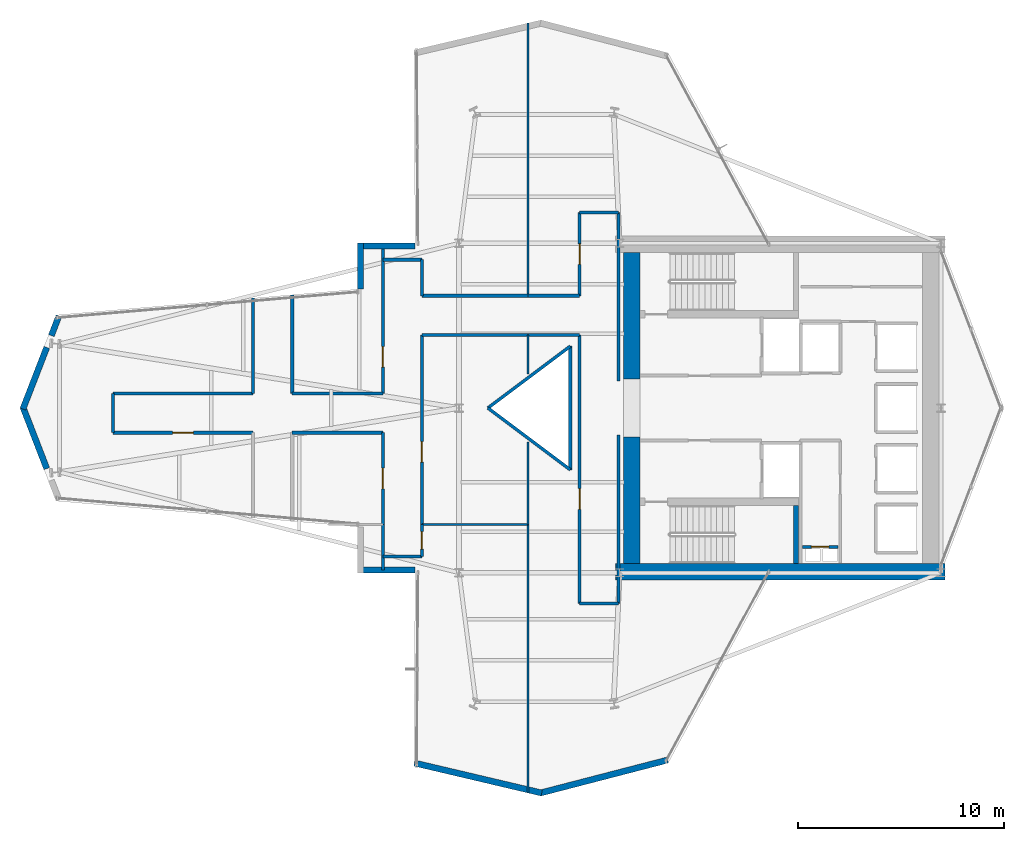
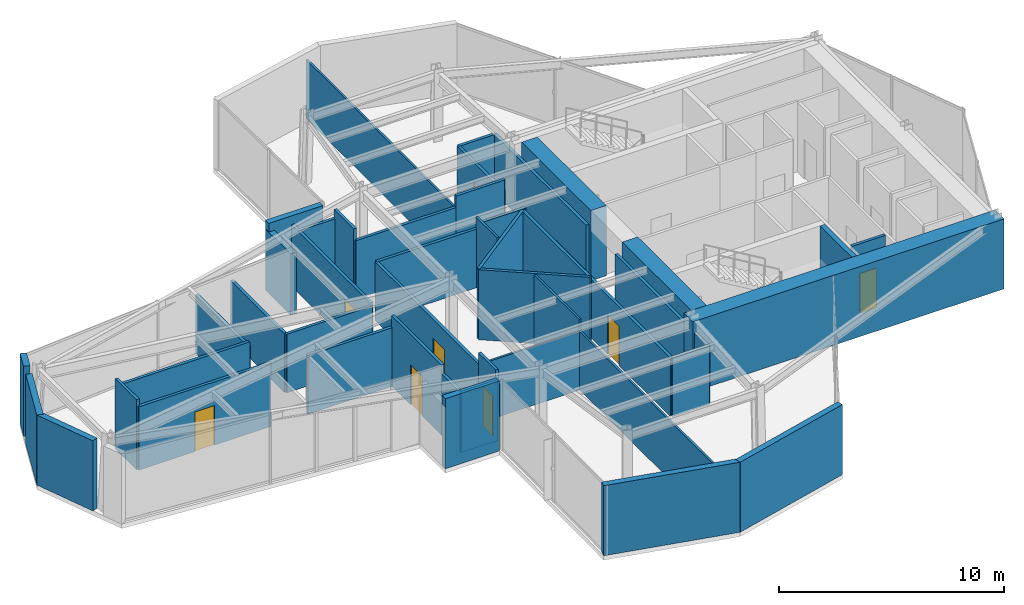
# One storey, part 23 of 26: 46 walls, 8 doors, 8 openings.
"""IFC4 building model written with IfcOpenShell, lengths in metres."""

from ifc_helpers import new_model, si_unit, direction, frame, frame_2d, origin, place, context, subcontext, project, spatial, rectangle, extrude, material, layer, layer_set, type_object, element, fill, save


model = new_model("IFC4")

# Units and contexts
model_context = context("Model", 3, precision=1e-05, world=origin(), true_north=direction((0.0, 1.0)))
body_context = subcontext(model_context, "Body", "Model", "MODEL_VIEW")
ifc_project = project(units=[si_unit("LENGTHUNIT", "METRE"), si_unit("AREAUNIT", "SQUARE_METRE"), si_unit("VOLUMEUNIT", "CUBIC_METRE"), si_unit("PLANEANGLEUNIT", "RADIAN"), si_unit("MASSUNIT", "GRAM", prefix="KILO")], contexts=[model_context])

# Site, building, storey
site_placement = place(None, origin())
site = spatial("IfcSite", under=ifc_project, at=site_placement, CompositionType="ELEMENT")
building_placement = place(site_placement, origin())
building = spatial("IfcBuilding", under=site, at=building_placement, Name="Veymaron Broadcast Tower", CompositionType="ELEMENT")
storey_placement = place(building_placement, frame((0.0, 0.0, 157.35009765625)))
storey = spatial("IfcBuildingStorey", under=building, at=storey_placement, Name="L36", CompositionType="ELEMENT", Elevation=157.35009765625)

# Walls
ifc_material_1 = material(Name="Precast concrete C40/50 with mineral-wool insulation", Category="concrete")
ifc_layer_1 = layer(ifc_material_1, 0.300048828125)
ifc_layer_set_1 = layer_set([ifc_layer_1], Name="Precast concrete C40/50 with mineral-wool insulation")
wall_type_1 = type_object("IfcWallType", Name="WALL-EXT-300", PredefinedType="STANDARD", material=ifc_layer_set_1)
wall_1_placement = place(storey_placement, frame((29.06494140625, 31.860107421875, 0.0), z_axis=(0.0, 0.0, 1.0), x_axis=(-1.0, 0.0, 0.0)))
element("IfcWall", 1, at=wall_1_placement, inside=storey, type_object=wall_type_1, Name="L36 notched corner facade pier 9-1", PredefinedType="STANDARD", context=body_context, shape_type="SweptSolid", body=[
    extrude(rectangle(XDim=2.79443359375, YDim=0.300048828125, at=frame_2d((1.397216796875, 0.0))), origin(), (0.0, 0.0, 1.0), 3.809814453125),
])
wall_2_placement = place(storey_placement, frame((26.410400390625, 32.0, 0.0), z_axis=(0.0, 0.0, 1.0), x_axis=(0.0, -1.0, 0.0)))
element("IfcWall", 2, at=wall_2_placement, inside=storey, type_object=wall_type_1, Name="L36 notched corner facade pier 10-1", PredefinedType="STANDARD", context=body_context, shape_type="SweptSolid", body=[
    extrude(rectangle(XDim=2.229248046875, YDim=0.300048828125, at=frame_2d((1.11474609375, 0.0))), origin(), (0.0, 0.0, 1.0), 3.337890625),
])
wall_3_placement = place(storey_placement, frame((11.7705078125, 28.465576171875, 0.0), z_axis=(0.0, 0.0, 1.0), x_axis=(-0.360678505659, -0.93269020342, 0.0)))
element("IfcWall", 3, at=wall_3_placement, inside=storey, type_object=wall_type_1, Name="L36 notched corner facade pier 12-1", PredefinedType="STANDARD", context=body_context, shape_type="SweptSolid", body=[
    extrude(rectangle(XDim=1.02001953125, YDim=0.300048828125, at=frame_2d((0.510009765625, 0.0))), origin(), (0.0, 0.0, 1.0), 3.809814453125),
])
for number, where, z_axis, x_axis, name in (
    (4, (11.181884765625, 26.944091796875, 0.0), (0.0, 0.0, 1.0), (-0.360787181504, -0.932648170353, 0.0), "L36 notched corner facade pier 12-2"),
    (5, (10.0234375, 24.050537109375, 0.0), (0.0, 0.0, 1.0), (0.360787181504, -0.932648170353, 0.0), "L36 notched corner facade pier 13-1"),
):
    element("IfcWall", number, at=place(storey_placement, frame(where, z_axis=z_axis, x_axis=x_axis)), inside=storey, type_object=wall_type_1, Name=name, PredefinedType="STANDARD", context=body_context, shape_type="SweptSolid", body=[
        extrude(rectangle(XDim=3.2109375, YDim=0.300048828125, at=frame_2d((1.60546875, 0.0))), origin(), (0.0, 0.0, 1.0), 3.809814453125),
    ])
wall_4_placement = place(storey_placement, frame((26.2705078125, 16.139892578125, 0.0), z_axis=(0.0, 0.0, 1.0), x_axis=(1.0, 0.0, 0.0)))
element("IfcWall", 6, at=wall_4_placement, inside=storey, type_object=wall_type_1, Name="L36 notched corner facade pier 16-1", PredefinedType="STANDARD", context=body_context, shape_type="SweptSolid", body=[
    extrude(rectangle(XDim=2.79443359375, YDim=0.300048828125, at=frame_2d((1.397216796875, 0.0))), origin(), (0.0, 0.0, 1.0), 3.809814453125),
])
wall_5_placement = place(storey_placement, frame((29.033203125, 6.763427734375, 0.0), z_axis=(0.0, 0.0, 1.0), x_axis=(0.973355101444, -0.229302957882, 0.0)))
element("IfcWall", 7, at=wall_5_placement, inside=storey, type_object=wall_type_1, Name="L36 notched corner facade pier 18-1", PredefinedType="STANDARD", context=body_context, shape_type="SweptSolid", body=[
    extrude(rectangle(XDim=6.348876953125, YDim=0.300048828125, at=frame_2d((3.17431640625, 0.0))), origin(), (0.0, 0.0, 1.0), 3.809814453125),
])
wall_6_placement = place(storey_placement, frame((35.145751953125, 5.306640625, 0.0), z_axis=(0.0, 0.0, 1.0), x_axis=(0.96801891639, 0.250877216005, 0.0)))
element("IfcWall", 8, at=wall_6_placement, inside=storey, type_object=wall_type_1, Name="L36 notched corner facade pier 19-1", PredefinedType="STANDARD", context=body_context, shape_type="SweptSolid", body=[
    extrude(rectangle(XDim=6.3837890625, YDim=0.300048828125, at=frame_2d((3.19189453125, 0.0))), origin(), (0.0, 0.0, 1.0), 3.809814453125),
])

# Wall, opening, door
ifc_material_2 = material(Name="Gypsum fireboard and steel stud framing", Category="steel")
ifc_layer_2 = layer(ifc_material_2, 0.14990234375)
ifc_layer_set_2 = layer_set([ifc_layer_2], Name="Gypsum fireboard and steel stud framing")
wall_type_2 = type_object("IfcWallType", Name="WALL-FIRE-150", PredefinedType="PARTITIONING", material=ifc_layer_set_2)
wall_7_placement = place(storey_placement, frame((47.8798828125, 17.260009765625, 0.0), z_axis=(0.0, 0.0, 1.0), x_axis=(1.0, 0.0, 0.0)))
wall_7 = element("IfcWall", 9, at=wall_7_placement, inside=storey, type_object=wall_type_2, Name="L36 partition IW-L36-RIS-N", PredefinedType="PARTITIONING", context=body_context, shape_type="SweptSolid", body=[
    extrude(rectangle(XDim=1.72021484375, YDim=0.14990234375, at=frame_2d((0.860107421875, 0.0))), origin(), (0.0, 0.0, 1.0), 3.809814453125),
])
opening_1_placement = place(wall_7_placement, frame((0.419921875, 0.0, 0.0)))
opening_1 = element("IfcOpeningElement", 10, at=opening_1_placement, cuts=wall_7, Name="Opening ID-RS1", PredefinedType="OPENING", context=body_context, shape_type="SweptSolid", body=[
    extrude(rectangle(XDim=0.85009765625, YDim=2.14990234375, at=frame_2d((0.425048828125, 1.074951171875))), frame((0.0, 0.0849609375, 0.0), z_axis=(0.0, -1.0, 0.0), x_axis=(1.0, 0.0, 0.0)), (0.0, 0.0, 1.0), 0.169921875),
])
ifc_material_3 = material(Name="Fire-rated powder-coated steel riser leaf", Category="steel")
door_type_1 = type_object("IfcDoorType", Name="DOOR-RIS-850", OperationType="NOTDEFINED", PredefinedType="TRAPDOOR", material=ifc_material_3)
door_1_placement = place(opening_1_placement, origin())
door_1 = element("IfcDoor", 11, at=door_1_placement, inside=storey, type_object=door_type_1, Name="L36 door DR-L36-RIS", OperationType="SINGLE_SWING_LEFT", OverallHeight=2.14990234375, OverallWidth=0.85009765625, PredefinedType="TRAPDOOR", context=body_context, shape_type="SweptSolid", body=[
    extrude(rectangle(XDim=0.85009765625, YDim=2.14990234375, at=frame_2d((0.425048828125, 1.074951171875))), frame((0.0, 0.02490234375, 0.0), z_axis=(0.0, -1.0, 0.0), x_axis=(1.0, 0.0, 0.0)), (0.0, 0.0, 1.0), 0.050048828125),
])
fill(opening_1, door_1)

wall_8_placement = place(storey_placement, frame((29.39990234375, 16.800048828125, 0.0), z_axis=(0.0, 0.0, 1.0), x_axis=(0.0, 1.0, 0.0)))
wall_8 = element("IfcWall", 12, at=wall_8_placement, inside=storey, type_object=wall_type_2, Name="L36 partition IW-L36-P03", PredefinedType="PARTITIONING", context=body_context, shape_type="SweptSolid", body=[
    extrude(rectangle(XDim=1.551025390625, YDim=0.14990234375, at=frame_2d((0.775390625, 0.0))), origin(), (0.0, 0.0, 1.0), 3.809814453125),
])
opening_2_placement = place(wall_8_placement, frame((0.3505859375, 0.0, 0.0)))
opening_2 = element("IfcOpeningElement", 13, at=opening_2_placement, cuts=wall_8, Name="Opening ID-WC1", PredefinedType="OPENING", context=body_context, shape_type="SweptSolid", body=[
    extrude(rectangle(XDim=0.85009765625, YDim=2.14990234375, at=frame_2d((0.425048828125, 1.074951171875))), frame((0.0, 0.0849609375, 0.0), z_axis=(0.0, -1.0, 0.0), x_axis=(1.0, 0.0, 0.0)), (0.0, 0.0, 1.0), 0.169921875),
])
ifc_material_4 = material(Name="Moisture-resistant high-pressure laminate timber", Category="wood")
door_type_2 = type_object("IfcDoorType", Name="DOOR-INT-850", OperationType="NOTDEFINED", PredefinedType="DOOR", material=ifc_material_4)
door_2_placement = place(opening_2_placement, frame((0.85009765625, 0.0, 0.0), z_axis=(0.0, 0.0, 1.0), x_axis=(-1.0, 0.0, 0.0)))
door_2 = element("IfcDoor", 14, at=door_2_placement, inside=storey, type_object=door_type_2, Name="L36 door DR-L36-P03", OperationType="SINGLE_SWING_RIGHT", OverallHeight=2.14990234375, OverallWidth=0.85009765625, PredefinedType="DOOR", context=body_context, shape_type="SweptSolid", body=[
    extrude(rectangle(XDim=0.85009765625, YDim=2.14990234375, at=frame_2d((0.425048828125, 1.074951171875))), frame((0.0, 0.02490234375, 0.0), z_axis=(0.0, -1.0, 0.0), x_axis=(1.0, 0.0, 0.0)), (0.0, 0.0, 1.0), 0.050048828125),
])
fill(opening_2, door_2)

wall_9_placement = place(storey_placement, frame((37.050048828125, 14.5, 0.0), z_axis=(0.0, 0.0, 1.0), x_axis=(0.0, 1.0, 0.0)))
wall_9 = element("IfcWall", 15, at=wall_9_placement, inside=storey, type_object=wall_type_2, Name="L36 partition IW-L36-P04", PredefinedType="PARTITIONING", context=body_context, shape_type="SweptSolid", body=[
    extrude(rectangle(XDim=13.050048828125, YDim=0.14990234375, at=frame_2d((6.52490234375, 0.0))), origin(), (0.0, 0.0, 1.0), 3.18994140625),
])
opening_3_placement = place(wall_9_placement, frame((4.5849609375, 0.0, 0.0)))
opening_3 = element("IfcOpeningElement", 16, at=opening_3_placement, cuts=wall_9, Name="Opening ID-RM3", PredefinedType="OPENING", context=body_context, shape_type="SweptSolid", body=[
    extrude(rectangle(XDim=1.0, YDim=2.14990234375, at=frame_2d((0.5, 1.074951171875))), frame((0.0, 0.0849609375, 0.0), z_axis=(0.0, -1.0, 0.0), x_axis=(1.0, 0.0, 0.0)), (0.0, 0.0, 1.0), 0.169921875),
])
ifc_material_5 = material(Name="Acoustic solid-core European oak veneer timber", Category="wood")
door_type_3 = type_object("IfcDoorType", Name="DOOR-INT-1000", OperationType="NOTDEFINED", PredefinedType="DOOR", material=ifc_material_5)
door_3_placement = place(opening_3_placement, frame((1.0, 0.0, 0.0), z_axis=(0.0, 0.0, 1.0), x_axis=(-1.0, 0.0, 0.0)))
door_3 = element("IfcDoor", 17, at=door_3_placement, inside=storey, type_object=door_type_3, Name="L36 door DR-L36-P04", OperationType="SINGLE_SWING_LEFT", OverallHeight=2.14990234375, OverallWidth=1.0, PredefinedType="DOOR", context=body_context, shape_type="SweptSolid", body=[
    extrude(rectangle(XDim=1.0, YDim=2.14990234375, at=frame_2d((0.5, 1.074951171875))), frame((0.0, 0.02490234375, 0.0), z_axis=(0.0, -1.0, 0.0), x_axis=(1.0, 0.0, 0.0)), (0.0, 0.0, 1.0), 0.050048828125),
])
fill(opening_3, door_3)

wall_10_placement = place(storey_placement, frame((27.5, 18.35107421875, 0.0), z_axis=(0.0, 0.0, 1.0), x_axis=(0.0, 1.0, 0.0)))
wall_10 = element("IfcWall", 18, at=wall_10_placement, inside=storey, type_object=wall_type_2, Name="L36 partition IW-L36-P08", PredefinedType="PARTITIONING", context=body_context, shape_type="SweptSolid", body=[
    extrude(rectangle(XDim=4.448974609375, YDim=0.14990234375, at=frame_2d((2.224609375, 0.0))), origin(), (0.0, 0.0, 1.0), 3.809814453125),
])
opening_4_placement = place(wall_10_placement, frame((1.724609375, 0.0, 0.0)))
opening_4 = element("IfcOpeningElement", 19, at=opening_4_placement, cuts=wall_10, Name="Opening ID-RM3", PredefinedType="OPENING", context=body_context, shape_type="SweptSolid", body=[
    extrude(rectangle(XDim=1.0, YDim=2.14990234375, at=frame_2d((0.5, 1.074951171875))), frame((0.0, 0.0849609375, 0.0), z_axis=(0.0, -1.0, 0.0), x_axis=(1.0, 0.0, 0.0)), (0.0, 0.0, 1.0), 0.169921875),
])
door_4_placement = place(opening_4_placement, origin())
door_4 = element("IfcDoor", 20, at=door_4_placement, inside=storey, type_object=door_type_3, Name="L36 door DR-L36-P08", OperationType="SINGLE_SWING_LEFT", OverallHeight=2.14990234375, OverallWidth=1.0, PredefinedType="DOOR", context=body_context, shape_type="SweptSolid", body=[
    extrude(rectangle(XDim=1.0, YDim=2.14990234375, at=frame_2d((0.5, 1.074951171875))), frame((0.0, 0.02490234375, 0.0), z_axis=(0.0, -1.0, 0.0), x_axis=(1.0, 0.0, 0.0)), (0.0, 0.0, 1.0), 0.050048828125),
])
fill(opening_4, door_4)

wall_11_placement = place(storey_placement, frame((29.39990234375, 18.35107421875, 0.0), z_axis=(0.0, 0.0, 1.0), x_axis=(0.0, 1.0, 0.0)))
wall_11 = element("IfcWall", 21, at=wall_11_placement, inside=storey, type_object=wall_type_2, Name="L36 partition IW-L36-P11", PredefinedType="PARTITIONING", context=body_context, shape_type="SweptSolid", body=[
    extrude(rectangle(XDim=9.198974609375, YDim=0.14990234375, at=frame_2d((4.599609375, 0.0))), origin(), (0.0, 0.0, 1.0), 3.18994140625),
])
opening_5_placement = place(wall_11_placement, frame((3.01953125, 0.0, 0.0)))
opening_5 = element("IfcOpeningElement", 22, at=opening_5_placement, cuts=wall_11, Name="Opening ID-RM3", PredefinedType="OPENING", context=body_context, shape_type="SweptSolid", body=[
    extrude(rectangle(XDim=1.0, YDim=2.14990234375, at=frame_2d((0.5, 1.074951171875))), frame((0.0, 0.0849609375, 0.0), z_axis=(0.0, -1.0, 0.0), x_axis=(1.0, 0.0, 0.0)), (0.0, 0.0, 1.0), 0.169921875),
])
door_5_placement = place(opening_5_placement, frame((1.0, 0.0, 0.0), z_axis=(0.0, 0.0, 1.0), x_axis=(-1.0, 0.0, 0.0)))
door_5 = element("IfcDoor", 23, at=door_5_placement, inside=storey, type_object=door_type_3, Name="L36 door DR-L36-P11", OperationType="SINGLE_SWING_RIGHT", OverallHeight=2.14990234375, OverallWidth=1.0, PredefinedType="DOOR", context=body_context, shape_type="SweptSolid", body=[
    extrude(rectangle(XDim=1.0, YDim=2.14990234375, at=frame_2d((0.5, 1.074951171875))), frame((0.0, 0.02490234375, 0.0), z_axis=(0.0, -1.0, 0.0), x_axis=(1.0, 0.0, 0.0)), (0.0, 0.0, 1.0), 0.050048828125),
])
fill(opening_5, door_5)

wall_12_placement = place(storey_placement, frame((14.392822265625, 22.800048828125, 0.0), z_axis=(0.0, 0.0, 1.0), x_axis=(1.0, 0.0, 0.0)))
wall_12 = element("IfcWall", 24, at=wall_12_placement, inside=storey, type_object=wall_type_2, Name="L36 partition IW-L36-P13", PredefinedType="PARTITIONING", context=body_context, shape_type="SweptSolid", body=[
    extrude(rectangle(XDim=6.80712890625, YDim=0.14990234375, at=frame_2d((3.403564453125, 0.0))), origin(), (0.0, 0.0, 1.0), 3.44287109375),
])
opening_6_placement = place(wall_12_placement, frame((2.903564453125, 0.0, 0.0)))
opening_6 = element("IfcOpeningElement", 25, at=opening_6_placement, cuts=wall_12, Name="Opening ID-RM3", PredefinedType="OPENING", context=body_context, shape_type="SweptSolid", body=[
    extrude(rectangle(XDim=1.0, YDim=2.14990234375, at=frame_2d((0.5, 1.074951171875))), frame((0.0, 0.0849609375, 0.0), z_axis=(0.0, -1.0, 0.0), x_axis=(1.0, 0.0, 0.0)), (0.0, 0.0, 1.0), 0.169921875),
])
door_6_placement = place(opening_6_placement, frame((1.0, 0.0, 0.0), z_axis=(0.0, 0.0, 1.0), x_axis=(-1.0, 0.0, 0.0)))
door_6 = element("IfcDoor", 26, at=door_6_placement, inside=storey, type_object=door_type_3, Name="L36 door DR-L36-P13", OperationType="SINGLE_SWING_RIGHT", OverallHeight=2.14990234375, OverallWidth=1.0, PredefinedType="DOOR", context=body_context, shape_type="SweptSolid", body=[
    extrude(rectangle(XDim=1.0, YDim=2.14990234375, at=frame_2d((0.5, 1.074951171875))), frame((0.0, 0.02490234375, 0.0), z_axis=(0.0, -1.0, 0.0), x_axis=(1.0, 0.0, 0.0)), (0.0, 0.0, 1.0), 0.050048828125),
])
fill(opening_6, door_6)

wall_13_placement = place(storey_placement, frame((27.5, 24.699951171875, 0.0), z_axis=(0.0, 0.0, 1.0), x_axis=(0.0, 1.0, 0.0)))
wall_13 = element("IfcWall", 27, at=wall_13_placement, inside=storey, type_object=wall_type_2, Name="L36 partition IW-L36-P18", PredefinedType="PARTITIONING", context=body_context, shape_type="SweptSolid", body=[
    extrude(rectangle(XDim=7.16015625, YDim=0.14990234375, at=frame_2d((3.580078125, 0.0))), origin(), (0.0, 0.0, 1.0), 3.337890625),
])
opening_7_placement = place(wall_13_placement, frame((1.280029296875, 0.0, 0.0)))
opening_7 = element("IfcOpeningElement", 28, at=opening_7_placement, cuts=wall_13, Name="Opening ID-RM3", PredefinedType="OPENING", context=body_context, shape_type="SweptSolid", body=[
    extrude(rectangle(XDim=1.0, YDim=2.14990234375, at=frame_2d((0.5, 1.074951171875))), frame((0.0, 0.0849609375, 0.0), z_axis=(0.0, -1.0, 0.0), x_axis=(1.0, 0.0, 0.0)), (0.0, 0.0, 1.0), 0.169921875),
])
door_7_placement = place(opening_7_placement, origin())
door_7 = element("IfcDoor", 29, at=door_7_placement, inside=storey, type_object=door_type_3, Name="L36 door DR-L36-P18", OperationType="SINGLE_SWING_LEFT", OverallHeight=2.14990234375, OverallWidth=1.0, PredefinedType="DOOR", context=body_context, shape_type="SweptSolid", body=[
    extrude(rectangle(XDim=1.0, YDim=2.14990234375, at=frame_2d((0.5, 1.074951171875))), frame((0.0, 0.02490234375, 0.0), z_axis=(0.0, -1.0, 0.0), x_axis=(1.0, 0.0, 0.0)), (0.0, 0.0, 1.0), 0.050048828125),
])
fill(opening_7, door_7)

wall_14_placement = place(storey_placement, frame((37.050048828125, 29.449951171875, 0.0), z_axis=(0.0, 0.0, 1.0), x_axis=(0.0, 1.0, 0.0)))
wall_14 = element("IfcWall", 30, at=wall_14_placement, inside=storey, type_object=wall_type_2, Name="L36 partition IW-L36-P25", PredefinedType="PARTITIONING", context=body_context, shape_type="SweptSolid", body=[
    extrude(rectangle(XDim=4.050048828125, YDim=0.14990234375, at=frame_2d((2.02490234375, 0.0))), origin(), (0.0, 0.0, 1.0), 3.18994140625),
])
opening_8_placement = place(wall_14_placement, frame((1.52490234375, 0.0, 0.0)))
opening_8 = element("IfcOpeningElement", 31, at=opening_8_placement, cuts=wall_14, Name="Opening ID-RM3", PredefinedType="OPENING", context=body_context, shape_type="SweptSolid", body=[
    extrude(rectangle(XDim=1.0, YDim=2.14990234375, at=frame_2d((0.5, 1.074951171875))), frame((0.0, 0.0849609375, 0.0), z_axis=(0.0, -1.0, 0.0), x_axis=(1.0, 0.0, 0.0)), (0.0, 0.0, 1.0), 0.169921875),
])
door_8_placement = place(opening_8_placement, origin())
door_8 = element("IfcDoor", 32, at=door_8_placement, inside=storey, type_object=door_type_3, Name="L36 door DR-L36-P25", OperationType="SINGLE_SWING_RIGHT", OverallHeight=2.14990234375, OverallWidth=1.0, PredefinedType="DOOR", context=body_context, shape_type="SweptSolid", body=[
    extrude(rectangle(XDim=1.0, YDim=2.14990234375, at=frame_2d((0.5, 1.074951171875))), frame((0.0, 0.02490234375, 0.0), z_axis=(0.0, -1.0, 0.0), x_axis=(1.0, 0.0, 0.0)), (0.0, 0.0, 1.0), 0.050048828125),
])
fill(opening_8, door_8)

# Walls
wall_15_placement = place(storey_placement, frame((27.5, 16.139892578125, 0.0), z_axis=(0.0, 0.0, 1.0), x_axis=(0.0, 1.0, 0.0)))
element("IfcWall", 33, at=wall_15_placement, inside=storey, type_object=wall_type_2, Name="L36 partition IW-L36-P01", PredefinedType="PARTITIONING", context=body_context, shape_type="SweptSolid", body=[
    extrude(rectangle(XDim=2.211181640625, YDim=0.14990234375, at=frame_2d((1.10546875, 0.0))), origin(), (0.0, 0.0, 1.0), 3.337890625),
])
wall_16_placement = place(storey_placement, frame((27.5, 16.800048828125, 0.0), z_axis=(0.0, 0.0, 1.0), x_axis=(1.0, 0.0, 0.0)))
element("IfcWall", 34, at=wall_16_placement, inside=storey, type_object=wall_type_2, Name="L36 partition IW-L36-P02", PredefinedType="PARTITIONING", context=body_context, shape_type="SweptSolid", body=[
    extrude(rectangle(XDim=1.89990234375, YDim=0.14990234375, at=frame_2d((0.949951171875, 0.0))), origin(), (0.0, 0.0, 1.0), 3.337890625),
])
wall_17_placement = place(storey_placement, frame((38.949951171875, 14.5, 0.0), z_axis=(0.0, 0.0, 1.0), x_axis=(0.0, 1.0, 0.0)))
element("IfcWall", 35, at=wall_17_placement, inside=storey, type_object=wall_type_2, Name="L36 partition IW-L36-P05", PredefinedType="PARTITIONING", context=body_context, shape_type="SweptSolid", body=[
    extrude(rectangle(XDim=8.199951171875, YDim=0.14990234375, at=frame_2d((4.10009765625, 0.0))), origin(), (0.0, 0.0, 1.0), 3.18994140625),
])
wall_18_placement = place(storey_placement, frame((34.556884765625, 27.550048828125, 0.0), z_axis=(0.0, 0.0, 1.0), x_axis=(1.0, 0.0, 0.0)))
element("IfcWall", 36, at=wall_18_placement, inside=storey, type_object=wall_type_2, Name="L36 partition IW-L36-P06", PredefinedType="PARTITIONING", context=body_context, shape_type="SweptSolid", body=[
    extrude(rectangle(XDim=2.4931640625, YDim=0.14990234375, at=frame_2d((1.24658203125, 0.0))), origin(), (0.0, 0.0, 1.0), 3.44287109375),
])
wall_19_placement = place(storey_placement, frame((37.050048828125, 14.5, 0.0), z_axis=(0.0, 0.0, 1.0), x_axis=(1.0, 0.0, 0.0)))
element("IfcWall", 37, at=wall_19_placement, inside=storey, type_object=wall_type_2, Name="L36 partition IW-L36-P07", PredefinedType="PARTITIONING", context=body_context, shape_type="SweptSolid", body=[
    extrude(rectangle(XDim=1.89990234375, YDim=0.14990234375, at=frame_2d((0.949951171875, 0.0))), origin(), (0.0, 0.0, 1.0), 3.18994140625),
])
wall_20_placement = place(storey_placement, frame((23.10009765625, 22.800048828125, 0.0), z_axis=(0.0, 0.0, 1.0), x_axis=(1.0, 0.0, 0.0)))
element("IfcWall", 38, at=wall_20_placement, inside=storey, type_object=wall_type_2, Name="L36 partition IW-L36-P09", PredefinedType="PARTITIONING", context=body_context, shape_type="SweptSolid", body=[
    extrude(rectangle(XDim=4.39990234375, YDim=0.14990234375, at=frame_2d((2.199951171875, 0.0))), origin(), (0.0, 0.0, 1.0), 3.18994140625),
])
wall_21_placement = place(storey_placement, frame((29.39990234375, 27.550048828125, 0.0), z_axis=(0.0, 0.0, 1.0), x_axis=(1.0, 0.0, 0.0)))
element("IfcWall", 39, at=wall_21_placement, inside=storey, type_object=wall_type_2, Name="L36 partition IW-L36-P12", PredefinedType="PARTITIONING", context=body_context, shape_type="SweptSolid", body=[
    extrude(rectangle(XDim=5.156982421875, YDim=0.14990234375, at=frame_2d((2.57861328125, 0.0))), origin(), (0.0, 0.0, 1.0), 3.18994140625),
])
wall_22_placement = place(storey_placement, frame((14.392822265625, 24.699951171875, 0.0), z_axis=(0.0, 0.0, 1.0), x_axis=(1.0, 0.0, 0.0)))
element("IfcWall", 40, at=wall_22_placement, inside=storey, type_object=wall_type_2, Name="L36 partition IW-L36-P14", PredefinedType="PARTITIONING", context=body_context, shape_type="SweptSolid", body=[
    extrude(rectangle(XDim=6.80712890625, YDim=0.14990234375, at=frame_2d((3.403564453125, 0.0))), origin(), (0.0, 0.0, 1.0), 3.44287109375),
])
wall_23_placement = place(storey_placement, frame((21.199951171875, 24.699951171875, 0.0), z_axis=(0.0, 0.0, 1.0), x_axis=(0.0, 1.0, 0.0)))
element("IfcWall", 41, at=wall_23_placement, inside=storey, type_object=wall_type_2, Name="L36 partition IW-L36-P15", PredefinedType="PARTITIONING", context=body_context, shape_type="SweptSolid", body=[
    extrude(rectangle(XDim=4.635986328125, YDim=0.14990234375, at=frame_2d((2.31787109375, 0.0))), origin(), (0.0, 0.0, 1.0), 3.18994140625),
])
wall_24_placement = place(storey_placement, frame((14.392822265625, 22.800048828125, 0.0), z_axis=(0.0, 0.0, 1.0), x_axis=(0.0, 1.0, 0.0)))
element("IfcWall", 42, at=wall_24_placement, inside=storey, type_object=wall_type_2, Name="L36 partition IW-L36-P17", PredefinedType="PARTITIONING", context=body_context, shape_type="SweptSolid", body=[
    extrude(rectangle(XDim=1.89990234375, YDim=0.14990234375, at=frame_2d((0.949951171875, 0.0))), origin(), (0.0, 0.0, 1.0), 3.809814453125),
])
wall_25_placement = place(storey_placement, frame((29.39990234375, 29.449951171875, 0.0), z_axis=(0.0, 0.0, 1.0), x_axis=(1.0, 0.0, 0.0)))
element("IfcWall", 43, at=wall_25_placement, inside=storey, type_object=wall_type_2, Name="L36 partition IW-L36-P19", PredefinedType="PARTITIONING", context=body_context, shape_type="SweptSolid", body=[
    extrude(rectangle(XDim=5.156982421875, YDim=0.14990234375, at=frame_2d((2.57861328125, 0.0))), origin(), (0.0, 0.0, 1.0), 3.18994140625),
])
wall_26_placement = place(storey_placement, frame((23.10009765625, 24.699951171875, 0.0), z_axis=(0.0, 0.0, 1.0), x_axis=(0.0, 1.0, 0.0)))
element("IfcWall", 44, at=wall_26_placement, inside=storey, type_object=wall_type_2, Name="L36 partition IW-L36-P20", PredefinedType="PARTITIONING", context=body_context, shape_type="SweptSolid", body=[
    extrude(rectangle(XDim=4.798828125, YDim=0.14990234375, at=frame_2d((2.3994140625, 0.0))), origin(), (0.0, 0.0, 1.0), 3.18994140625),
])
wall_27_placement = place(storey_placement, frame((23.10009765625, 24.699951171875, 0.0), z_axis=(0.0, 0.0, 1.0), x_axis=(1.0, 0.0, 0.0)))
element("IfcWall", 45, at=wall_27_placement, inside=storey, type_object=wall_type_2, Name="L36 partition IW-L36-P21", PredefinedType="PARTITIONING", context=body_context, shape_type="SweptSolid", body=[
    extrude(rectangle(XDim=4.39990234375, YDim=0.14990234375, at=frame_2d((2.199951171875, 0.0))), origin(), (0.0, 0.0, 1.0), 3.18994140625),
])
wall_28_placement = place(storey_placement, frame((27.5, 31.199951171875, 0.0), z_axis=(0.0, 0.0, 1.0), x_axis=(1.0, 0.0, 0.0)))
element("IfcWall", 46, at=wall_28_placement, inside=storey, type_object=wall_type_2, Name="L36 partition IW-L36-P22", PredefinedType="PARTITIONING", context=body_context, shape_type="SweptSolid", body=[
    extrude(rectangle(XDim=1.89990234375, YDim=0.14990234375, at=frame_2d((0.949951171875, 0.0))), origin(), (0.0, 0.0, 1.0), 3.337890625),
])
wall_29_placement = place(storey_placement, frame((29.39990234375, 29.449951171875, 0.0), z_axis=(0.0, 0.0, 1.0), x_axis=(0.0, 1.0, 0.0)))
element("IfcWall", 47, at=wall_29_placement, inside=storey, type_object=wall_type_2, Name="L36 partition IW-L36-P23", PredefinedType="PARTITIONING", context=body_context, shape_type="SweptSolid", body=[
    extrude(rectangle(XDim=1.75, YDim=0.14990234375, at=frame_2d((0.875, 0.0))), origin(), (0.0, 0.0, 1.0), 3.809814453125),
])
wall_30_placement = place(storey_placement, frame((38.949951171875, 25.300048828125, 0.0), z_axis=(0.0, 0.0, 1.0), x_axis=(0.0, 1.0, 0.0)))
element("IfcWall", 48, at=wall_30_placement, inside=storey, type_object=wall_type_2, Name="L36 partition IW-L36-P24", PredefinedType="PARTITIONING", context=body_context, shape_type="SweptSolid", body=[
    extrude(rectangle(XDim=8.199951171875, YDim=0.14990234375, at=frame_2d((4.10009765625, 0.0))), origin(), (0.0, 0.0, 1.0), 3.18994140625),
])
wall_31_placement = place(storey_placement, frame((34.556884765625, 29.449951171875, 0.0), z_axis=(0.0, 0.0, 1.0), x_axis=(1.0, 0.0, 0.0)))
element("IfcWall", 49, at=wall_31_placement, inside=storey, type_object=wall_type_2, Name="L36 partition IW-L36-P26", PredefinedType="PARTITIONING", context=body_context, shape_type="SweptSolid", body=[
    extrude(rectangle(XDim=2.4931640625, YDim=0.14990234375, at=frame_2d((1.24658203125, 0.0))), origin(), (0.0, 0.0, 1.0), 3.809814453125),
])
wall_32_placement = place(storey_placement, frame((37.050048828125, 33.5, 0.0), z_axis=(0.0, 0.0, 1.0), x_axis=(1.0, 0.0, 0.0)))
element("IfcWall", 50, at=wall_32_placement, inside=storey, type_object=wall_type_2, Name="L36 partition IW-L36-P27", PredefinedType="PARTITIONING", context=body_context, shape_type="SweptSolid", body=[
    extrude(rectangle(XDim=1.89990234375, YDim=0.14990234375, at=frame_2d((0.949951171875, 0.0))), origin(), (0.0, 0.0, 1.0), 3.18994140625),
])
ifc_material_6 = material(Name="Fire-rated laminated glass in aluminium frame", Category="aluminium")
ifc_layer_3 = layer(ifc_material_6, 0.14990234375)
ifc_layer_set_3 = layer_set([ifc_layer_3], Name="Fire-rated laminated glass in aluminium frame")
wall_type_3 = type_object("IfcWallType", Name="WALL-GLZ-150", PredefinedType="MOVABLE", material=ifc_layer_set_3)
wall_33_placement = place(storey_placement, frame((32.60009765625, 24.0, 0.0), z_axis=(0.0, 0.0, 1.0), x_axis=(0.8, -0.6, 0.0)))
element("IfcWall", 51, at=wall_33_placement, inside=storey, type_object=wall_type_3, Name="L36 partition IW-L36-ATR1", PredefinedType="MOVABLE", context=body_context, shape_type="SweptSolid", body=[
    extrude(rectangle(XDim=5.0, YDim=0.14990234375, at=frame_2d((2.5, 0.0))), origin(), (0.0, 0.0, 1.0), 3.809814453125),
])
wall_34_placement = place(storey_placement, frame((36.60009765625, 21.0, 0.0), z_axis=(0.0, 0.0, 1.0), x_axis=(0.0, 1.0, 0.0)))
element("IfcWall", 52, at=wall_34_placement, inside=storey, type_object=wall_type_3, Name="L36 partition IW-L36-ATR2", PredefinedType="MOVABLE", context=body_context, shape_type="SweptSolid", body=[
    extrude(rectangle(XDim=6.0, YDim=0.14990234375, at=frame_2d((3.0, 0.0))), origin(), (0.0, 0.0, 1.0), 3.809814453125),
])
wall_35_placement = place(storey_placement, frame((36.60009765625, 27.0, 0.0), z_axis=(0.0, 0.0, 1.0), x_axis=(-0.8, -0.6, 0.0)))
element("IfcWall", 53, at=wall_35_placement, inside=storey, type_object=wall_type_3, Name="L36 partition IW-L36-ATR3", PredefinedType="MOVABLE", context=body_context, shape_type="SweptSolid", body=[
    extrude(rectangle(XDim=5.0, YDim=0.14990234375, at=frame_2d((2.5, 0.0))), origin(), (0.0, 0.0, 1.0), 3.809814453125),
])
ifc_material_7 = material(Name="Acoustic gypsum board and galvanized stud", Category="gypsum")
ifc_layer_4 = layer(ifc_material_7, 0.10009765625)
ifc_layer_set_4 = layer_set([ifc_layer_4], Name="Acoustic gypsum board and galvanized stud")
wall_type_4 = type_object("IfcWallType", Name="WALL-PART-100", PredefinedType="PARTITIONING", material=ifc_layer_set_4)
wall_36_placement = place(storey_placement, frame((34.556884765625, 5.318115234375, 0.0), z_axis=(0.0, 0.0, 1.0), x_axis=(0.0, 1.0, 0.0)))
element("IfcWall", 54, at=wall_36_placement, inside=storey, type_object=wall_type_4, Name="L36 partition IW-L36-P28", PredefinedType="PARTITIONING", context=body_context, shape_type="SweptSolid", body=[
    extrude(rectangle(XDim=13.032958984375, YDim=0.10009765625, at=frame_2d((6.5166015625, 0.0))), origin(), (0.0, 0.0, 1.0), 3.18994140625),
])
wall_37_placement = place(storey_placement, frame((29.39990234375, 18.35107421875, 0.0), z_axis=(0.0, 0.0, 1.0), x_axis=(1.0, 0.0, 0.0)))
element("IfcWall", 55, at=wall_37_placement, inside=storey, type_object=wall_type_4, Name="L36 partition IW-L36-P30", PredefinedType="PARTITIONING", context=body_context, shape_type="SweptSolid", body=[
    extrude(rectangle(XDim=5.156982421875, YDim=0.10009765625, at=frame_2d((2.57861328125, 0.0))), origin(), (0.0, 0.0, 1.0), 3.18994140625),
])
wall_38_placement = place(storey_placement, frame((34.556884765625, 18.35107421875, 0.0), z_axis=(0.0, 0.0, 1.0), x_axis=(0.0, 1.0, 0.0)))
element("IfcWall", 56, at=wall_38_placement, inside=storey, type_object=wall_type_4, Name="L36 partition IW-L36-P31", PredefinedType="PARTITIONING", context=body_context, shape_type="SweptSolid", body=[
    extrude(rectangle(XDim=3.99365234375, YDim=0.10009765625, at=frame_2d((1.996826171875, 0.0))), origin(), (0.0, 0.0, 1.0), 3.809814453125),
])
wall_39_placement = place(storey_placement, frame((34.556884765625, 25.6552734375, 0.0), z_axis=(0.0, 0.0, 1.0), x_axis=(0.0, 1.0, 0.0)))
element("IfcWall", 57, at=wall_39_placement, inside=storey, type_object=wall_type_4, Name="L36 partition IW-L36-P32", PredefinedType="PARTITIONING", context=body_context, shape_type="SweptSolid", body=[
    extrude(rectangle(XDim=1.894775390625, YDim=0.10009765625, at=frame_2d((0.947265625, 0.0))), origin(), (0.0, 0.0, 1.0), 3.809814453125),
])
wall_40_placement = place(storey_placement, frame((34.556884765625, 29.449951171875, 0.0), z_axis=(0.0, 0.0, 1.0), x_axis=(0.0, 1.0, 0.0)))
element("IfcWall", 58, at=wall_40_placement, inside=storey, type_object=wall_type_4, Name="L36 partition IW-L36-P33", PredefinedType="PARTITIONING", context=body_context, shape_type="SweptSolid", body=[
    extrude(rectangle(XDim=13.23193359375, YDim=0.10009765625, at=frame_2d((6.615966796875, 0.0))), origin(), (0.0, 0.0, 1.0), 3.18994140625),
])
ifc_material_8 = material(Name="Concrete C50/60", Category="concrete")
ifc_layer_5 = layer(ifc_material_8, 0.25)
ifc_layer_set_5 = layer_set([ifc_layer_5], Name="Concrete C50/60")
wall_type_5 = type_object("IfcWallType", Name="WALL-SHEAR-250", PredefinedType="SHEAR", material=ifc_layer_set_5)
wall_41_placement = place(storey_placement, frame((47.56494140625, 16.449951171875, 0.0), z_axis=(0.0, 0.0, 1.0), x_axis=(0.0, 1.0, 0.0)))
element("IfcWall", 59, at=wall_41_placement, inside=storey, type_object=wall_type_5, Name="L36 Core Wall south stair east shear", PredefinedType="SHEAR", context=body_context, shape_type="SweptSolid", body=[
    extrude(rectangle(XDim=2.820068359375, YDim=0.25, at=frame_2d((1.41015625, 0.0))), origin(), (0.0, 0.0, 1.0), 3.809814453125),
])
ifc_material_9 = material(Name="Concrete C60/75", Category="concrete")
ifc_layer_6 = layer(ifc_material_9, 0.800048828125)
ifc_layer_set_6 = layer_set([ifc_layer_6], Name="Concrete C60/75")
wall_type_6 = type_object("IfcWallType", Name="WALL-SHEAR-800", PredefinedType="SHEAR", material=ifc_layer_set_6)
wall_42_placement = place(storey_placement, frame((38.800048828125, 16.050048828125, 0.0), z_axis=(0.0, 0.0, 1.0), x_axis=(1.0, 0.0, 0.0)))
element("IfcWall", 60, at=wall_42_placement, inside=storey, type_object=wall_type_6, Name="L36 Core Wall south shear", PredefinedType="SHEAR", context=body_context, shape_type="SweptSolid", body=[
    extrude(rectangle(XDim=16.0, YDim=0.800048828125, at=frame_2d((8.0, 0.0))), origin(), (0.0, 0.0, 1.0), 3.809814453125),
])
for number, where, z_axis, x_axis, name in (
    (61, (39.580078125, 16.449951171875, 0.0), (0.0, 0.0, 1.0), (0.0, 1.0, 0.0), "L36 Core Wall west-south shear"),
    (62, (39.580078125, 25.39990234375, 0.0), (0.0, 0.0, 1.0), (0.0, 1.0, 0.0), "L36 Core Wall west-north shear"),
):
    element("IfcWall", number, at=place(storey_placement, frame(where, z_axis=z_axis, x_axis=x_axis)), inside=storey, type_object=wall_type_6, Name=name, PredefinedType="SHEAR", context=body_context, shape_type="SweptSolid", body=[
        extrude(rectangle(XDim=6.150146484375, YDim=0.800048828125, at=frame_2d((3.0751953125, 0.0))), origin(), (0.0, 0.0, 1.0), 3.809814453125),
    ])

save(model, "model.ifc")
